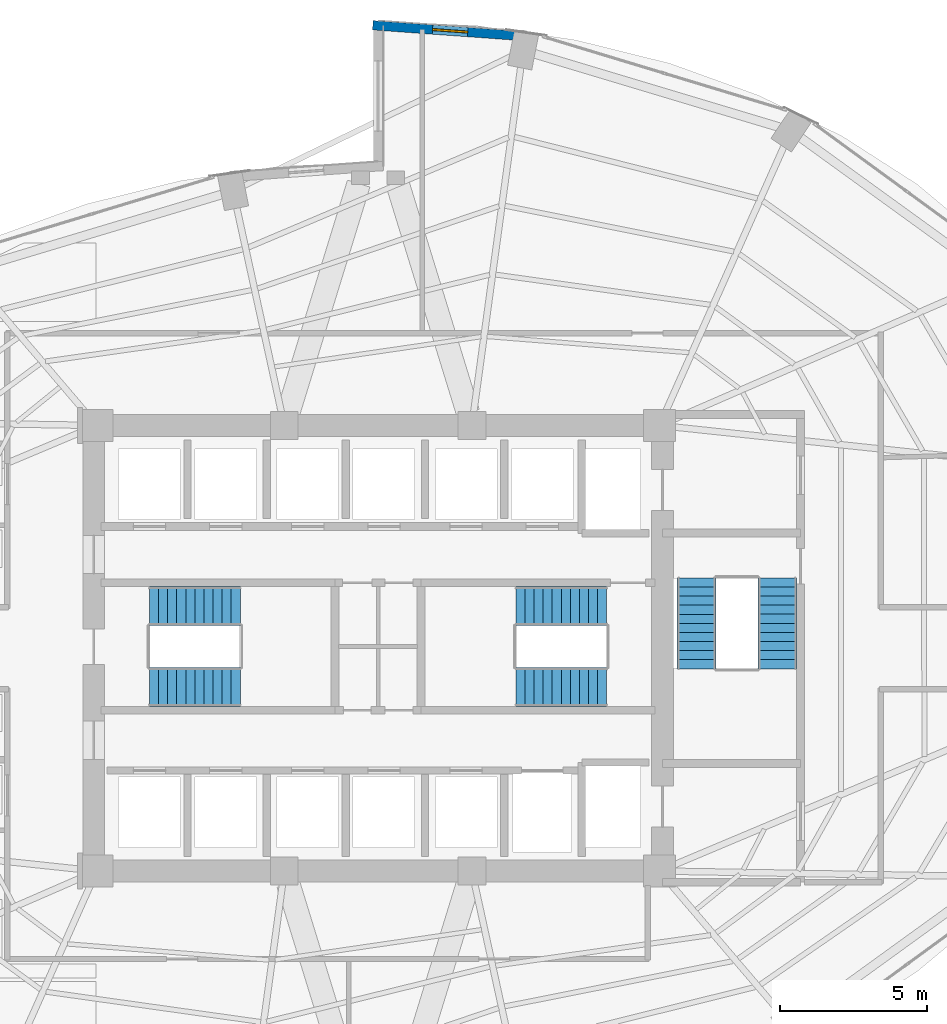
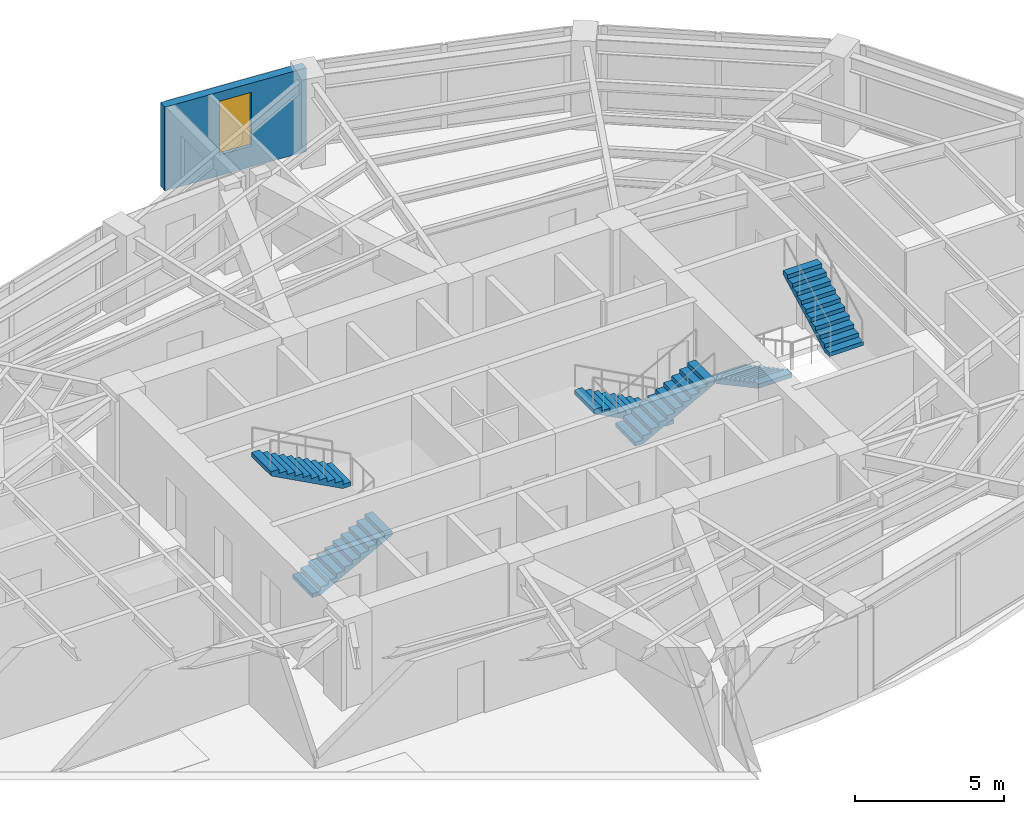
# One storey, part 21 of 23: 6 stair flights, 1 wall, 1 window, 1 opening, 3 elements without a shape of their own.
"""IFC4 building model written with IfcOpenShell, lengths in metres."""

from ifc_helpers import new_model, si_unit, direction, frame, frame_2d, origin, place, context, subcontext, project, spatial, polyline, rectangle, outline, extrude, material, layer, layer_set, type_object, element, fill, aggregate, save


model = new_model("IFC4")

# Units and contexts
model_context = context("Model", 3, precision=1e-05, world=origin(), true_north=direction((0.0, 1.0)))
body_context = subcontext(model_context, "Body", "Model", "MODEL_VIEW")
ifc_project = project(units=[si_unit("LENGTHUNIT", "METRE"), si_unit("AREAUNIT", "SQUARE_METRE"), si_unit("VOLUMEUNIT", "CUBIC_METRE"), si_unit("PLANEANGLEUNIT", "RADIAN"), si_unit("MASSUNIT", "GRAM", prefix="KILO")], contexts=[model_context])

# Site, building, storey
site_placement = place(None, origin())
site = spatial("IfcSite", under=ifc_project, at=site_placement, CompositionType="ELEMENT")
building_placement = place(site_placement, origin())
building = spatial("IfcBuilding", under=site, at=building_placement, Name="Lazwardi Medical Tower", CompositionType="ELEMENT")
storey_placement = place(building_placement, frame((0.0, 0.0, 92.68798828125)))
storey = spatial("IfcBuildingStorey", under=building, at=storey_placement, Name="L23", CompositionType="ELEMENT", Elevation=92.68798828125)

# Wall, opening, window
ifc_material_1 = material(Name="Precast concrete C45/55", Category="concrete")
ifc_layer = layer(ifc_material_1, 0.320068359375)
ifc_layer_set = layer_set([ifc_layer], Name="Precast concrete C45/55")
wall_type = type_object("IfcWallType", Name="WL-IWAN-320", PredefinedType="SOLIDWALL", material=ifc_layer_set)
wall_placement = place(storey_placement, frame((41.091064453125, 48.87451171875, 0.0), z_axis=(0.0, 0.0, 1.0), x_axis=(-0.997432364291, 0.071614793619, 0.0)))
wall = element("IfcWall", 1, at=wall_placement, inside=storey, type_object=wall_type, Name="L23 Iwan Portal Return Wall NE_ret", PredefinedType="SOLIDWALL", context=body_context, shape_type="SweptSolid", body=[
    extrude(rectangle(XDim=5.2841796875, YDim=0.320068359375, at=frame_2d((2.64208984375, 0.0))), origin(), (0.0, 0.0, 1.0), 3.427978515625),
])
opening_placement = place(wall_placement, frame((2.0419921875, 0.0, 0.85009765625)))
opening = element("IfcOpeningElement", 2, at=opening_placement, cuts=wall, Name="Opening WN-01", PredefinedType="OPENING", context=body_context, shape_type="SweptSolid", body=[
    extrude(rectangle(XDim=1.199951171875, YDim=2.199951171875, at=frame_2d((0.60009765625, 1.10009765625))), frame((0.0, 0.169921875, 0.0), z_axis=(0.0, -1.0, 0.0), x_axis=(1.0, 0.0, 0.0)), (0.0, 0.0, 1.0), 0.340087890625),
])
ifc_material_2 = material(Name="Low-e bronze solar control double glazing", Category="glass")
window_type = type_object("IfcWindowType", Name="WIN-IW-1200", PartitioningType="SINGLE_PANEL", PredefinedType="WINDOW", material=ifc_material_2)
window_placement = place(opening_placement, origin())
window = element("IfcWindow", 3, at=window_placement, inside=storey, type_object=window_type, Name="L23 Iwan Slot Window NE_ret", OverallHeight=2.199951171875, OverallWidth=1.199951171875, PartitioningType="SINGLE_PANEL", PredefinedType="WINDOW", context=body_context, shape_type="SweptSolid", body=[
    extrude(rectangle(XDim=1.199951171875, YDim=2.199951171875, at=frame_2d((0.60009765625, 1.10009765625))), frame((0.0, 0.030029296875, 0.0), z_axis=(0.0, -1.0, 0.0), x_axis=(1.0, 0.0, 0.0)), (0.0, 0.0, 1.0), 0.06005859375),
])
fill(opening, window)

# Stair, stair flights
ifc_material_3 = material(Name="Concrete C45/55", Category="concrete")
stair_type = type_object("IfcStairType", Name="STR-WRD", PredefinedType="HALF_TURN_STAIR", material=ifc_material_3)
stair_1_placement = place(storey_placement, origin())
stair_1 = element("IfcStair", 4, at=stair_1_placement, inside=storey, type_object=stair_type, Name="L23 Protected Exit Stair ST1", PredefinedType="HALF_TURN_STAIR")
stair_flight_type = type_object("IfcStairFlightType", Name="FLT-WRD", PredefinedType="STRAIGHT", material=ifc_material_3)
stair_flight_1_placement = place(storey_placement, frame((28.199951171875, 26.679931640625, 0.0), z_axis=(0.0, 0.0, 1.0), x_axis=(1.0, 0.0, 0.0)))
stair_flight_1 = element("IfcStairFlight", 5, at=stair_flight_1_placement, type_object=stair_flight_type, Name="ST1 flight 1", NumberOfRisers=11, NumberOfTreads=10, PredefinedType="STRAIGHT", RiserHeight=0.165818182, TreadLength=0.31, context=body_context, shape_type="SweptSolid", body=[
    extrude(outline(polyline([(0.0, 0.0), (0.0, 0.165771484375), (0.31005859375, 0.165771484375), (0.31005859375, 0.33154296875), (0.6201171875, 0.33154296875), (0.6201171875, 0.49755859375), (0.929931640625, 0.49755859375), (0.929931640625, 0.663330078125), (1.239990234375, 0.663330078125), (1.239990234375, 0.8291015625), (1.550048828125, 0.8291015625), (1.550048828125, 0.994873046875), (1.860107421875, 0.994873046875), (1.860107421875, 1.16064453125), (2.169921875, 1.16064453125), (2.169921875, 1.32666015625), (2.47998046875, 1.32666015625), (2.47998046875, 1.492431640625), (2.7900390625, 1.492431640625), (2.7900390625, 1.658203125), (3.10009765625, 1.658203125), (3.10009765625, 1.823974609375), (3.10009765625, 1.48828125), (0.31787109375, 0.0), (0.0, 0.0)])), frame((0.0, 0.66015625, 0.0), z_axis=(0.0, -1.0, 0.0), x_axis=(1.0, 0.0, 0.0)), (0.0, 0.0, 1.0), 1.320068359375),
])
stair_flight_2_placement = place(storey_placement, frame((31.300048828125, 29.43994140625, 1.823974609375), z_axis=(0.0, 0.0, 1.0), x_axis=(-1.0, 0.0, 0.0)))
stair_flight_2 = element("IfcStairFlight", 6, at=stair_flight_2_placement, type_object=stair_flight_type, Name="ST1 flight 2", NumberOfRisers=11, NumberOfTreads=10, PredefinedType="STRAIGHT", RiserHeight=0.165818182, TreadLength=0.31, context=body_context, shape_type="SweptSolid", body=[
    extrude(outline(polyline([(0.0, 0.0), (0.0, 0.165771484375), (0.31005859375, 0.165771484375), (0.31005859375, 0.33154296875), (0.6201171875, 0.33154296875), (0.6201171875, 0.49755859375), (0.929931640625, 0.49755859375), (0.929931640625, 0.663330078125), (1.239990234375, 0.663330078125), (1.239990234375, 0.8291015625), (1.550048828125, 0.8291015625), (1.550048828125, 0.994873046875), (1.860107421875, 0.994873046875), (1.860107421875, 1.16064453125), (2.169921875, 1.16064453125), (2.169921875, 1.32666015625), (2.47998046875, 1.32666015625), (2.47998046875, 1.492431640625), (2.7900390625, 1.492431640625), (2.7900390625, 1.658203125), (3.10009765625, 1.658203125), (3.10009765625, 1.823974609375), (3.10009765625, 1.48828125), (0.31787109375, 0.0), (0.0, 0.0)])), frame((0.0, 0.66015625, 0.0), z_axis=(0.0, -1.0, 0.0), x_axis=(1.0, 0.0, 0.0)), (0.0, 0.0, 1.0), 1.320068359375),
])
aggregate(stair_1, [stair_flight_1, stair_flight_2])

stair_2_placement = place(storey_placement, origin())
stair_2 = element("IfcStair", 7, at=stair_2_placement, inside=storey, type_object=stair_type, Name="L23 Protected Exit Stair ST2", PredefinedType="HALF_TURN_STAIR")
stair_flight_3_placement = place(storey_placement, frame((43.800048828125, 29.43994140625, 0.0), z_axis=(0.0, 0.0, 1.0), x_axis=(-1.0, 0.0, 0.0)))
stair_flight_3 = element("IfcStairFlight", 8, at=stair_flight_3_placement, type_object=stair_flight_type, Name="ST2 flight 1", NumberOfRisers=11, NumberOfTreads=10, PredefinedType="STRAIGHT", RiserHeight=0.165818182, TreadLength=0.31, context=body_context, shape_type="SweptSolid", body=[
    extrude(outline(polyline([(0.0, 0.0), (0.0, 0.165771484375), (0.31005859375, 0.165771484375), (0.31005859375, 0.33154296875), (0.6201171875, 0.33154296875), (0.6201171875, 0.49755859375), (0.929931640625, 0.49755859375), (0.929931640625, 0.663330078125), (1.239990234375, 0.663330078125), (1.239990234375, 0.8291015625), (1.550048828125, 0.8291015625), (1.550048828125, 0.994873046875), (1.860107421875, 0.994873046875), (1.860107421875, 1.16064453125), (2.169921875, 1.16064453125), (2.169921875, 1.32666015625), (2.47998046875, 1.32666015625), (2.47998046875, 1.492431640625), (2.7900390625, 1.492431640625), (2.7900390625, 1.658203125), (3.10009765625, 1.658203125), (3.10009765625, 1.823974609375), (3.10009765625, 1.48828125), (0.31787109375, 0.0), (0.0, 0.0)])), frame((0.0, 0.66015625, 0.0), z_axis=(0.0, -1.0, 0.0), x_axis=(1.0, 0.0, 0.0)), (0.0, 0.0, 1.0), 1.320068359375),
])
stair_flight_4_placement = place(storey_placement, frame((40.699951171875, 26.679931640625, 1.823974609375), z_axis=(0.0, 0.0, 1.0), x_axis=(1.0, 0.0, 0.0)))
stair_flight_4 = element("IfcStairFlight", 9, at=stair_flight_4_placement, type_object=stair_flight_type, Name="ST2 flight 2", NumberOfRisers=11, NumberOfTreads=10, PredefinedType="STRAIGHT", RiserHeight=0.165818182, TreadLength=0.31, context=body_context, shape_type="SweptSolid", body=[
    extrude(outline(polyline([(0.0, 0.0), (0.0, 0.165771484375), (0.31005859375, 0.165771484375), (0.31005859375, 0.33154296875), (0.6201171875, 0.33154296875), (0.6201171875, 0.49755859375), (0.929931640625, 0.49755859375), (0.929931640625, 0.663330078125), (1.239990234375, 0.663330078125), (1.239990234375, 0.8291015625), (1.550048828125, 0.8291015625), (1.550048828125, 0.994873046875), (1.860107421875, 0.994873046875), (1.860107421875, 1.16064453125), (2.169921875, 1.16064453125), (2.169921875, 1.32666015625), (2.47998046875, 1.32666015625), (2.47998046875, 1.492431640625), (2.7900390625, 1.492431640625), (2.7900390625, 1.658203125), (3.10009765625, 1.658203125), (3.10009765625, 1.823974609375), (3.10009765625, 1.48828125), (0.31787109375, 0.0), (0.0, 0.0)])), frame((0.0, 0.66015625, 0.0), z_axis=(0.0, -1.0, 0.0), x_axis=(1.0, 0.0, 0.0)), (0.0, 0.0, 1.0), 1.320068359375),
])
aggregate(stair_2, [stair_flight_3, stair_flight_4])

stair_3_placement = place(storey_placement, origin())
stair_3 = element("IfcStair", 10, at=stair_3_placement, inside=storey, type_object=stair_type, Name="L23 Protected Exit Stair ST3", PredefinedType="HALF_TURN_STAIR")
stair_flight_5_placement = place(storey_placement, frame((46.860107421875, 30.39990234375, 0.0), z_axis=(0.0, 0.0, 1.0), x_axis=(0.0, -1.0, 0.0)))
stair_flight_5 = element("IfcStairFlight", 11, at=stair_flight_5_placement, type_object=stair_flight_type, Name="ST3 flight 1", NumberOfRisers=11, NumberOfTreads=10, PredefinedType="STRAIGHT", RiserHeight=0.165818182, TreadLength=0.31, context=body_context, shape_type="SweptSolid", body=[
    extrude(outline(polyline([(0.0, 0.0), (0.0, 0.165771484375), (0.31005859375, 0.165771484375), (0.31005859375, 0.33154296875), (0.6201171875, 0.33154296875), (0.6201171875, 0.49755859375), (0.929931640625, 0.49755859375), (0.929931640625, 0.663330078125), (1.239990234375, 0.663330078125), (1.239990234375, 0.8291015625), (1.550048828125, 0.8291015625), (1.550048828125, 0.994873046875), (1.860107421875, 0.994873046875), (1.860107421875, 1.16064453125), (2.169921875, 1.16064453125), (2.169921875, 1.32666015625), (2.47998046875, 1.32666015625), (2.47998046875, 1.492431640625), (2.7900390625, 1.492431640625), (2.7900390625, 1.658203125), (3.10009765625, 1.658203125), (3.10009765625, 1.823974609375), (3.10009765625, 1.48828125), (0.31787109375, 0.0), (0.0, 0.0)])), frame((0.0, 0.66015625, 0.0), z_axis=(0.0, -1.0, 0.0), x_axis=(1.0, 0.0, 0.0)), (0.0, 0.0, 1.0), 1.320068359375),
])
stair_flight_6_placement = place(storey_placement, frame((49.6201171875, 27.300048828125, 1.823974609375), z_axis=(0.0, 0.0, 1.0), x_axis=(0.0, 1.0, 0.0)))
stair_flight_6 = element("IfcStairFlight", 12, at=stair_flight_6_placement, type_object=stair_flight_type, Name="ST3 flight 2", NumberOfRisers=11, NumberOfTreads=10, PredefinedType="STRAIGHT", RiserHeight=0.165818182, TreadLength=0.31, context=body_context, shape_type="SweptSolid", body=[
    extrude(outline(polyline([(0.0, 0.0), (0.0, 0.165771484375), (0.31005859375, 0.165771484375), (0.31005859375, 0.33154296875), (0.6201171875, 0.33154296875), (0.6201171875, 0.49755859375), (0.929931640625, 0.49755859375), (0.929931640625, 0.663330078125), (1.239990234375, 0.663330078125), (1.239990234375, 0.8291015625), (1.550048828125, 0.8291015625), (1.550048828125, 0.994873046875), (1.860107421875, 0.994873046875), (1.860107421875, 1.16064453125), (2.169921875, 1.16064453125), (2.169921875, 1.32666015625), (2.47998046875, 1.32666015625), (2.47998046875, 1.492431640625), (2.7900390625, 1.492431640625), (2.7900390625, 1.658203125), (3.10009765625, 1.658203125), (3.10009765625, 1.823974609375), (3.10009765625, 1.48828125), (0.31787109375, 0.0), (0.0, 0.0)])), frame((0.0, 0.66015625, 0.0), z_axis=(0.0, -1.0, 0.0), x_axis=(1.0, 0.0, 0.0)), (0.0, 0.0, 1.0), 1.320068359375),
])
aggregate(stair_3, [stair_flight_5, stair_flight_6])

save(model, "model.ifc")
